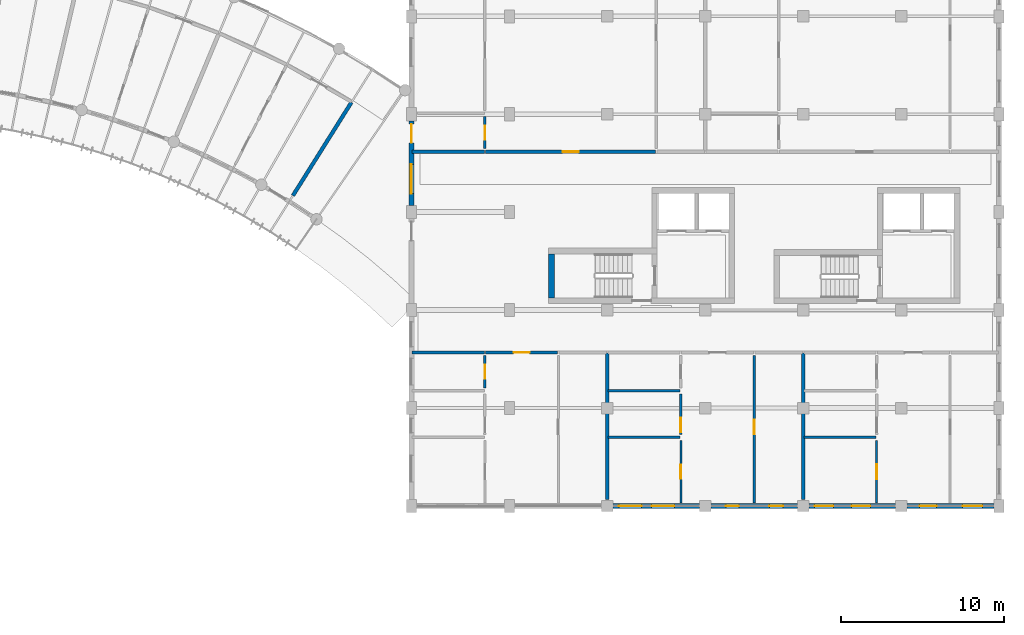
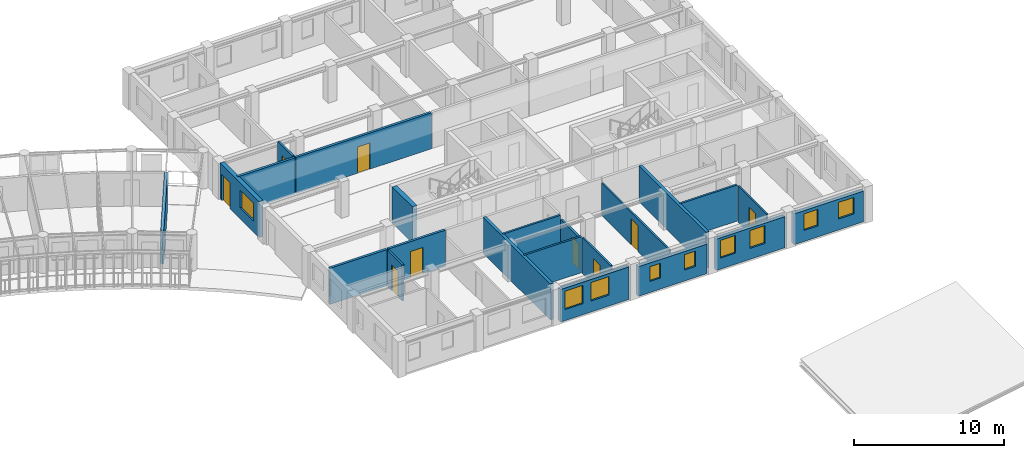
# One storey, part 111 of 137: 22 walls, 9 doors, 9 windows, 18 openings.
"""IFC4 building model written with IfcOpenShell, lengths in metres."""

from ifc_helpers import new_model, si_unit, direction, frame, frame_2d, origin, place, context, subcontext, project, spatial, rectangle, extrude, material, layer, layer_set, type_object, element, fill, save


model = new_model("IFC4")

# Units and contexts
model_context = context("Model", 3, precision=1e-05, world=origin(), true_north=direction((0.0, 1.0)))
body_context = subcontext(model_context, "Body", "Model", "MODEL_VIEW")
ifc_project = project(units=[si_unit("LENGTHUNIT", "METRE"), si_unit("AREAUNIT", "SQUARE_METRE"), si_unit("VOLUMEUNIT", "CUBIC_METRE"), si_unit("PLANEANGLEUNIT", "RADIAN"), si_unit("MASSUNIT", "GRAM", prefix="KILO"), si_unit("POWERUNIT", "WATT"), si_unit("THERMODYNAMICTEMPERATUREUNIT", "KELVIN")], contexts=[model_context])

# Site, building, storey
site_placement = place(None, origin())
site = spatial("IfcSite", under=ifc_project, at=site_placement, CompositionType="ELEMENT")
building_placement = place(site_placement, origin())
building = spatial("IfcBuilding", under=site, at=building_placement, Name="Ruvembo Vaulted Housing Court", CompositionType="ELEMENT")
storey_placement = place(building_placement, frame((0.0, 0.0, 4.5)))
storey = spatial("IfcBuildingStorey", under=building, at=storey_placement, Name="L01", CompositionType="ELEMENT", Elevation=4.5)

# Walls
ifc_material_1 = material(Name="Concrete C35/45", Category="concrete")
ifc_layer_1 = layer(ifc_material_1, 0.35009765625, Name="Concrete C35/45")
ifc_layer_set_1 = layer_set([ifc_layer_1], Name="Concrete C35/45")
wall_type_1 = type_object("IfcWallType", Name="WL-CORE-350", PredefinedType="SHEAR", material=ifc_layer_set_1)
wall_1_placement = place(storey_placement, frame((158.574951171875, 87.449951171875, 0.0), z_axis=(0.0, 0.0, 1.0), x_axis=(0.0, -1.0, 0.0)))
element("IfcWall", 1, at=wall_1_placement, inside=storey, type_object=wall_type_1, Name="Core D1 L01 Stair West Shear Wall", PredefinedType="SHEAR", context=body_context, shape_type="SweptSolid", body=[
    extrude(rectangle(XDim=2.699951171875, YDim=0.35009765625, at=frame_2d((1.35009765625, 0.0))), origin(), (0.0, 0.0, 1.0), 2.945068359375),
])
ifc_material_2 = material(Name="Concrete Blockwork 190", Category="masonry")
ifc_layer_2 = layer(ifc_material_2, 0.18994140625, Name="Concrete Blockwork 190")
ifc_layer_set_2 = layer_set([ifc_layer_2], Name="Concrete Blockwork 190")
wall_type_2 = type_object("IfcWallType", Name="WL-CORR-190", PredefinedType="SOLIDWALL", material=ifc_layer_set_2)
wall_2_placement = place(storey_placement, frame((150.0400390625, 81.39990234375, 0.0), z_axis=(0.0, 0.0, 1.0), x_axis=(1.0, 0.0, 0.0)))
element("IfcWall", 2, at=wall_2_placement, inside=storey, type_object=wall_type_2, Name="L01 Flat D-L01-S1 Corridor Wall WL-INT-L01-00323", PredefinedType="SOLIDWALL", context=body_context, shape_type="SweptSolid", body=[
    extrude(rectangle(XDim=4.419921875, YDim=0.18994140625, at=frame_2d((2.2099609375, 0.0))), origin(), (0.0, 0.0, 1.0), 2.945068359375),
])

# Wall, opening, door
wall_3_placement = place(storey_placement, frame((154.5400390625, 81.39990234375, 0.0), z_axis=(0.0, 0.0, 1.0), x_axis=(1.0, 0.0, 0.0)))
wall_3 = element("IfcWall", 3, at=wall_3_placement, inside=storey, type_object=wall_type_2, Name="L01 Flat D-L01-S1 Entrance WL-INT-L01-00324", PredefinedType="SOLIDWALL", context=body_context, shape_type="SweptSolid", body=[
    extrude(rectangle(XDim=4.419921875, YDim=0.18994140625, at=frame_2d((2.2099609375, 0.0))), origin(), (0.0, 0.0, 1.0), 2.945068359375),
])
opening_1_placement = place(wall_3_placement, frame((1.719970703125, 0.0, 0.0)))
opening_1 = element("IfcOpeningElement", 4, at=opening_1_placement, cuts=wall_3, Name="Opening FD2", PredefinedType="OPENING", context=body_context, shape_type="SweptSolid", body=[
    extrude(rectangle(XDim=0.97998046875, YDim=2.14990234375, at=frame_2d((0.489990234375, 1.074951171875))), frame((0.0, 0.10498046875, 0.0), z_axis=(0.0, -1.0, 0.0), x_axis=(1.0, 0.0, 0.0)), (0.0, 0.0, 1.0), 0.2099609375),
])
ifc_material_3 = material(Name="FSC Hardwood and Engineered Timber", Category="wood")
door_type_1 = type_object("IfcDoorType", Name="DR-FLAT-0980x2150", OperationType="NOTDEFINED", PredefinedType="DOOR", material=ifc_material_3)
door_1_placement = place(opening_1_placement, origin())
door_1 = element("IfcDoor", 5, at=door_1_placement, inside=storey, type_object=door_type_1, Name="L01 Flat D-L01-S1 Entrance Door DR-INT-L01-00163", OperationType="SINGLE_SWING_LEFT", OverallHeight=2.14990234375, OverallWidth=0.97998046875, PredefinedType="DOOR", context=body_context, shape_type="SweptSolid", body=[
    extrude(rectangle(XDim=0.97998046875, YDim=2.14990234375, at=frame_2d((0.489990234375, 1.074951171875))), frame((0.0, 0.02490234375, 0.0), z_axis=(0.0, -1.0, 0.0), x_axis=(1.0, 0.0, 0.0)), (0.0, 0.0, 1.0), 0.050048828125),
])
fill(opening_1, door_1)

# Wall
wall_4_placement = place(storey_placement, frame((150.0400390625, 93.699951171875, 0.0), z_axis=(0.0, 0.0, 1.0), x_axis=(1.0, 0.0, 0.0)))
element("IfcWall", 6, at=wall_4_placement, inside=storey, type_object=wall_type_2, Name="L01 Flat D-L01-N1 Corridor Wall WL-INT-L01-00352", PredefinedType="SOLIDWALL", context=body_context, shape_type="SweptSolid", body=[
    extrude(rectangle(XDim=4.419921875, YDim=0.18994140625, at=frame_2d((2.2099609375, 0.0))), origin(), (0.0, 0.0, 1.0), 2.945068359375),
])

# Wall, opening, door
wall_5_placement = place(storey_placement, frame((154.5400390625, 93.699951171875, 0.0), z_axis=(0.0, 0.0, 1.0), x_axis=(1.0, 0.0, 0.0)))
wall_5 = element("IfcWall", 7, at=wall_5_placement, inside=storey, type_object=wall_type_2, Name="L01 Flat D-L01-N1 Entrance WL-INT-L01-00353", PredefinedType="SOLIDWALL", context=body_context, shape_type="SweptSolid", body=[
    extrude(rectangle(XDim=10.419921875, YDim=0.18994140625, at=frame_2d((5.2099609375, 0.0))), origin(), (0.0, 0.0, 1.0), 2.945068359375),
])
opening_2_placement = place(wall_5_placement, frame((4.719970703125, 0.0, 0.0)))
opening_2 = element("IfcOpeningElement", 8, at=opening_2_placement, cuts=wall_5, Name="Opening FD2", PredefinedType="OPENING", context=body_context, shape_type="SweptSolid", body=[
    extrude(rectangle(XDim=0.97998046875, YDim=2.14990234375, at=frame_2d((0.489990234375, 1.074951171875))), frame((0.0, 0.10498046875, 0.0), z_axis=(0.0, -1.0, 0.0), x_axis=(1.0, 0.0, 0.0)), (0.0, 0.0, 1.0), 0.2099609375),
])
door_2_placement = place(opening_2_placement, origin())
door_2 = element("IfcDoor", 9, at=door_2_placement, inside=storey, type_object=door_type_1, Name="L01 Flat D-L01-N1 Entrance Door DR-INT-L01-00178", OperationType="SINGLE_SWING_RIGHT", OverallHeight=2.14990234375, OverallWidth=0.97998046875, PredefinedType="DOOR", context=body_context, shape_type="SweptSolid", body=[
    extrude(rectangle(XDim=0.97998046875, YDim=2.14990234375, at=frame_2d((0.489990234375, 1.074951171875))), frame((0.0, 0.02490234375, 0.0), z_axis=(0.0, -1.0, 0.0), x_axis=(1.0, 0.0, 0.0)), (0.0, 0.0, 1.0), 0.050048828125),
])
fill(opening_2, door_2)

# Walls
ifc_material_4 = material(Name="Acoustic Masonry Demising 230", Category="masonry")
ifc_layer_3 = layer(ifc_material_4, 0.22998046875, Name="Acoustic Masonry Demising 230")
ifc_layer_set_3 = layer_set([ifc_layer_3], Name="Acoustic Masonry Demising 230")
wall_type_3 = type_object("IfcWallType", Name="WL-DEM-230", PredefinedType="SOLIDWALL", material=ifc_layer_set_3)
for number, where, z_axis, x_axis, name in (
    (10, (162.0, 72.389892578125, 0.0), (0.0, 0.0, 1.0), (0.0, 1.0, 0.0), "L01 Demising D-L01-S1 WL-INT-L01-00322"),
    (11, (174.0, 72.389892578125, 0.0), (0.0, 0.0, 1.0), (0.0, 1.0, 0.0), "L01 Demising D-L01-S2 WL-INT-L01-00332"),
):
    element("IfcWall", number, at=place(storey_placement, frame(where, z_axis=z_axis, x_axis=x_axis)), inside=storey, type_object=wall_type_3, Name=name, PredefinedType="SOLIDWALL", context=body_context, shape_type="SweptSolid", body=[
        extrude(rectangle(XDim=8.97021484375, YDim=0.22998046875, at=frame_2d((4.485107421875, 0.0))), origin(), (0.0, 0.0, 1.0), 2.945068359375),
    ])
wall_6_placement = place(storey_placement, frame((142.73828125, 91.017333984375, 0.0), z_axis=(0.0, 0.0, 1.0), x_axis=(0.531512997039, 0.847050136638, 0.0)))
element("IfcWall", 12, at=wall_6_placement, inside=storey, type_object=wall_type_3, Name="L01 Suite SC3-L01-U7 Demising WL-INT-L01-00481", PredefinedType="SOLIDWALL", context=body_context, shape_type="SweptSolid", body=[
    extrude(rectangle(XDim=6.736083984375, YDim=0.22998046875, at=frame_2d((3.3681640625, 0.0))), origin(), (0.0, 0.0, 1.0), 2.741943359375),
])

# Wall, openings, windows
ifc_material_5 = material(Name="Rendered Masonry 320", Category="masonry")
ifc_layer_4 = layer(ifc_material_5, 0.320068359375, Name="Rendered Masonry 320")
ifc_layer_set_4 = layer_set([ifc_layer_4], Name="Rendered Masonry 320")
wall_type_4 = type_object("IfcWallType", Name="WL-EXT-320", PredefinedType="STANDARD", material=ifc_layer_set_4)
wall_7_placement = place(storey_placement, frame((162.35009765625, 72.0, 0.0), z_axis=(0.0, 0.0, 1.0), x_axis=(1.0, 0.0, 0.0)))
wall_7 = element("IfcWall", 13, at=wall_7_placement, inside=storey, type_object=wall_type_4, Name="Block D L01 Exterior Wall COURTYARD #3", PredefinedType="STANDARD", context=body_context, shape_type="SweptSolid", body=[
    extrude(rectangle(XDim=5.2998046875, YDim=0.320068359375, at=frame_2d((2.64990234375, 0.0))), origin(), (0.0, 0.0, 1.0), 2.64794921875),
])
opening_3_placement = place(wall_7_placement, frame((0.35009765625, 0.0, 0.89990234375)))
opening_3 = element("IfcOpeningElement", 14, at=opening_3_placement, cuts=wall_7, Name="Opening W17", PredefinedType="OPENING", context=body_context, shape_type="SweptSolid", body=[
    extrude(rectangle(XDim=1.39990234375, YDim=1.5, at=frame_2d((0.699951171875, 0.75))), frame((0.0, 0.169921875, 0.0), z_axis=(0.0, -1.0, 0.0), x_axis=(1.0, 0.0, 0.0)), (0.0, 0.0, 1.0), 0.340087890625),
])
opening_4_placement = place(wall_7_placement, frame((2.360107421875, 0.0, 0.89990234375)))
opening_4 = element("IfcOpeningElement", 15, at=opening_4_placement, cuts=wall_7, Name="Opening W17", PredefinedType="OPENING", context=body_context, shape_type="SweptSolid", body=[
    extrude(rectangle(XDim=1.39990234375, YDim=1.5, at=frame_2d((0.699951171875, 0.75))), frame((0.0, 0.169921875, 0.0), z_axis=(0.0, -1.0, 0.0), x_axis=(1.0, 0.0, 0.0)), (0.0, 0.0, 1.0), 0.340087890625),
])
ifc_material_6 = material(Name="Double Solar-Control Glazing in Aluminium Frame", Category="aluminium")
window_type_1 = type_object("IfcWindowType", Name="WIN-1400x1500", PartitioningType="SINGLE_PANEL", PredefinedType="WINDOW", material=ifc_material_6)
window_1_placement = place(opening_3_placement, origin())
window_1 = element("IfcWindow", 16, at=window_1_placement, inside=storey, type_object=window_type_1, Name="Block D L01 Window #1491", OverallHeight=1.5, OverallWidth=1.39990234375, PartitioningType="SINGLE_PANEL", PredefinedType="WINDOW", context=body_context, shape_type="SweptSolid", body=[
    extrude(rectangle(XDim=1.39990234375, YDim=1.5, at=frame_2d((0.699951171875, 0.75))), frame((0.0, 0.030029296875, 0.0), z_axis=(0.0, -1.0, 0.0), x_axis=(1.0, 0.0, 0.0)), (0.0, 0.0, 1.0), 0.06005859375),
])
fill(opening_3, window_1)
window_2_placement = place(opening_4_placement, origin())
window_2 = element("IfcWindow", 17, at=window_2_placement, inside=storey, type_object=window_type_1, Name="Block D L01 Window #1492", OverallHeight=1.5, OverallWidth=1.39990234375, PartitioningType="SINGLE_PANEL", PredefinedType="WINDOW", context=body_context, shape_type="SweptSolid", body=[
    extrude(rectangle(XDim=1.39990234375, YDim=1.5, at=frame_2d((0.699951171875, 0.75))), frame((0.0, 0.030029296875, 0.0), z_axis=(0.0, -1.0, 0.0), x_axis=(1.0, 0.0, 0.0)), (0.0, 0.0, 1.0), 0.06005859375),
])
fill(opening_4, window_2)

wall_8_placement = place(storey_placement, frame((168.35009765625, 72.0, 0.0), z_axis=(0.0, 0.0, 1.0), x_axis=(1.0, 0.0, 0.0)))
wall_8 = element("IfcWall", 18, at=wall_8_placement, inside=storey, type_object=wall_type_4, Name="Block D L01 Exterior Wall COURTYARD #4", PredefinedType="STANDARD", context=body_context, shape_type="SweptSolid", body=[
    extrude(rectangle(XDim=5.2998046875, YDim=0.320068359375, at=frame_2d((2.64990234375, 0.0))), origin(), (0.0, 0.0, 1.0), 2.407958984375),
])
opening_5_placement = place(wall_8_placement, frame((0.905029296875, 0.0, 0.89990234375)))
opening_5 = element("IfcOpeningElement", 19, at=opening_5_placement, cuts=wall_8, Name="Opening W02", PredefinedType="OPENING", context=body_context, shape_type="SweptSolid", body=[
    extrude(rectangle(XDim=0.800048828125, YDim=1.199951171875, at=frame_2d((0.39990234375, 0.60009765625))), frame((0.0, 0.169921875, 0.0), z_axis=(0.0, -1.0, 0.0), x_axis=(1.0, 0.0, 0.0)), (0.0, 0.0, 1.0), 0.340087890625),
])
opening_6_placement = place(wall_8_placement, frame((3.570068359375, 0.0, 0.89990234375)))
opening_6 = element("IfcOpeningElement", 20, at=opening_6_placement, cuts=wall_8, Name="Opening W03", PredefinedType="OPENING", context=body_context, shape_type="SweptSolid", body=[
    extrude(rectangle(XDim=0.85009765625, YDim=1.25, at=frame_2d((0.425048828125, 0.625))), frame((0.0, 0.169921875, 0.0), z_axis=(0.0, -1.0, 0.0), x_axis=(1.0, 0.0, 0.0)), (0.0, 0.0, 1.0), 0.340087890625),
])
window_type_2 = type_object("IfcWindowType", Name="WIN-0800x1200", PartitioningType="SINGLE_PANEL", PredefinedType="WINDOW", material=ifc_material_6)
window_3_placement = place(opening_5_placement, origin())
window_3 = element("IfcWindow", 21, at=window_3_placement, inside=storey, type_object=window_type_2, Name="Block D L01 Window #1493", OverallHeight=1.199951171875, OverallWidth=0.800048828125, PartitioningType="SINGLE_PANEL", PredefinedType="WINDOW", context=body_context, shape_type="SweptSolid", body=[
    extrude(rectangle(XDim=0.800048828125, YDim=1.199951171875, at=frame_2d((0.39990234375, 0.60009765625))), frame((0.0, 0.030029296875, 0.0), z_axis=(0.0, -1.0, 0.0), x_axis=(1.0, 0.0, 0.0)), (0.0, 0.0, 1.0), 0.06005859375),
])
fill(opening_5, window_3)
window_type_3 = type_object("IfcWindowType", Name="WIN-0850x1250", PartitioningType="SINGLE_PANEL", PredefinedType="WINDOW", material=ifc_material_6)
window_4_placement = place(opening_6_placement, origin())
window_4 = element("IfcWindow", 22, at=window_4_placement, inside=storey, type_object=window_type_3, Name="Block D L01 Window #1494", OverallHeight=1.25, OverallWidth=0.85009765625, PartitioningType="SINGLE_PANEL", PredefinedType="WINDOW", context=body_context, shape_type="SweptSolid", body=[
    extrude(rectangle(XDim=0.85009765625, YDim=1.25, at=frame_2d((0.425048828125, 0.625))), frame((0.0, 0.030029296875, 0.0), z_axis=(0.0, -1.0, 0.0), x_axis=(1.0, 0.0, 0.0)), (0.0, 0.0, 1.0), 0.06005859375),
])
fill(opening_6, window_4)

wall_9_placement = place(storey_placement, frame((174.35009765625, 72.0, 0.0), z_axis=(0.0, 0.0, 1.0), x_axis=(1.0, 0.0, 0.0)))
wall_9 = element("IfcWall", 23, at=wall_9_placement, inside=storey, type_object=wall_type_4, Name="Block D L01 Exterior Wall COURTYARD #5", PredefinedType="STANDARD", context=body_context, shape_type="SweptSolid", body=[
    extrude(rectangle(XDim=5.2998046875, YDim=0.320068359375, at=frame_2d((2.64990234375, 0.0))), origin(), (0.0, 0.0, 1.0), 2.548095703125),
])
opening_7_placement = place(wall_9_placement, frame((0.35009765625, 0.0, 0.89990234375)))
opening_7 = element("IfcOpeningElement", 24, at=opening_7_placement, cuts=wall_9, Name="Opening W11", PredefinedType="OPENING", context=body_context, shape_type="SweptSolid", body=[
    extrude(rectangle(XDim=1.14990234375, YDim=1.449951171875, at=frame_2d((0.574951171875, 0.72509765625))), frame((0.0, 0.169921875, 0.0), z_axis=(0.0, -1.0, 0.0), x_axis=(1.0, 0.0, 0.0)), (0.0, 0.0, 1.0), 0.340087890625),
])
opening_8_placement = place(wall_9_placement, frame((2.610107421875, 0.0, 0.89990234375)))
opening_8 = element("IfcOpeningElement", 25, at=opening_8_placement, cuts=wall_9, Name="Opening W11", PredefinedType="OPENING", context=body_context, shape_type="SweptSolid", body=[
    extrude(rectangle(XDim=1.14990234375, YDim=1.449951171875, at=frame_2d((0.574951171875, 0.72509765625))), frame((0.0, 0.169921875, 0.0), z_axis=(0.0, -1.0, 0.0), x_axis=(1.0, 0.0, 0.0)), (0.0, 0.0, 1.0), 0.340087890625),
])
window_type_4 = type_object("IfcWindowType", Name="WIN-1150x1450", PartitioningType="SINGLE_PANEL", PredefinedType="WINDOW", material=ifc_material_6)
window_5_placement = place(opening_7_placement, origin())
window_5 = element("IfcWindow", 26, at=window_5_placement, inside=storey, type_object=window_type_4, Name="Block D L01 Window #1495", OverallHeight=1.449951171875, OverallWidth=1.14990234375, PartitioningType="SINGLE_PANEL", PredefinedType="WINDOW", context=body_context, shape_type="SweptSolid", body=[
    extrude(rectangle(XDim=1.14990234375, YDim=1.449951171875, at=frame_2d((0.574951171875, 0.72509765625))), frame((0.0, 0.030029296875, 0.0), z_axis=(0.0, -1.0, 0.0), x_axis=(1.0, 0.0, 0.0)), (0.0, 0.0, 1.0), 0.06005859375),
])
fill(opening_7, window_5)
window_6_placement = place(opening_8_placement, origin())
window_6 = element("IfcWindow", 27, at=window_6_placement, inside=storey, type_object=window_type_4, Name="Block D L01 Window #1496", OverallHeight=1.449951171875, OverallWidth=1.14990234375, PartitioningType="SINGLE_PANEL", PredefinedType="WINDOW", context=body_context, shape_type="SweptSolid", body=[
    extrude(rectangle(XDim=1.14990234375, YDim=1.449951171875, at=frame_2d((0.574951171875, 0.72509765625))), frame((0.0, 0.030029296875, 0.0), z_axis=(0.0, -1.0, 0.0), x_axis=(1.0, 0.0, 0.0)), (0.0, 0.0, 1.0), 0.06005859375),
])
fill(opening_8, window_6)

wall_10_placement = place(storey_placement, frame((180.35009765625, 72.0, 0.0), z_axis=(0.0, 0.0, 1.0), x_axis=(1.0, 0.0, 0.0)))
wall_10 = element("IfcWall", 28, at=wall_10_placement, inside=storey, type_object=wall_type_4, Name="Block D L01 Exterior Wall COURTYARD #6", PredefinedType="STANDARD", context=body_context, shape_type="SweptSolid", body=[
    extrude(rectangle(XDim=5.349853515625, YDim=0.320068359375, at=frame_2d((2.6748046875, 0.0))), origin(), (0.0, 0.0, 1.0), 2.508056640625),
])
opening_9_placement = place(wall_10_placement, frame((0.780029296875, 0.0, 0.89990234375)))
opening_9 = element("IfcOpeningElement", 29, at=opening_9_placement, cuts=wall_10, Name="Opening W09", PredefinedType="OPENING", context=body_context, shape_type="SweptSolid", body=[
    extrude(rectangle(XDim=1.050048828125, YDim=1.35009765625, at=frame_2d((0.52490234375, 0.675048828125))), frame((0.0, 0.169921875, 0.0), z_axis=(0.0, -1.0, 0.0), x_axis=(1.0, 0.0, 0.0)), (0.0, 0.0, 1.0), 0.340087890625),
])
opening_10_placement = place(wall_10_placement, frame((3.419921875, 0.0, 0.89990234375)))
opening_10 = element("IfcOpeningElement", 30, at=opening_10_placement, cuts=wall_10, Name="Opening W12", PredefinedType="OPENING", context=body_context, shape_type="SweptSolid", body=[
    extrude(rectangle(XDim=1.199951171875, YDim=1.35009765625, at=frame_2d((0.60009765625, 0.675048828125))), frame((0.0, 0.169921875, 0.0), z_axis=(0.0, -1.0, 0.0), x_axis=(1.0, 0.0, 0.0)), (0.0, 0.0, 1.0), 0.340087890625),
])
window_type_5 = type_object("IfcWindowType", Name="WIN-1050x1350", PartitioningType="SINGLE_PANEL", PredefinedType="WINDOW", material=ifc_material_6)
window_7_placement = place(opening_9_placement, origin())
window_7 = element("IfcWindow", 31, at=window_7_placement, inside=storey, type_object=window_type_5, Name="Block D L01 Window #1497", OverallHeight=1.35009765625, OverallWidth=1.050048828125, PartitioningType="SINGLE_PANEL", PredefinedType="WINDOW", context=body_context, shape_type="SweptSolid", body=[
    extrude(rectangle(XDim=1.050048828125, YDim=1.35009765625, at=frame_2d((0.52490234375, 0.675048828125))), frame((0.0, 0.030029296875, 0.0), z_axis=(0.0, -1.0, 0.0), x_axis=(1.0, 0.0, 0.0)), (0.0, 0.0, 1.0), 0.06005859375),
])
fill(opening_9, window_7)
window_type_6 = type_object("IfcWindowType", Name="WIN-1200x1350", PartitioningType="SINGLE_PANEL", PredefinedType="WINDOW", material=ifc_material_6)
window_8_placement = place(opening_10_placement, origin())
window_8 = element("IfcWindow", 32, at=window_8_placement, inside=storey, type_object=window_type_6, Name="Block D L01 Window #1498", OverallHeight=1.35009765625, OverallWidth=1.199951171875, PartitioningType="SINGLE_PANEL", PredefinedType="WINDOW", context=body_context, shape_type="SweptSolid", body=[
    extrude(rectangle(XDim=1.199951171875, YDim=1.35009765625, at=frame_2d((0.60009765625, 0.675048828125))), frame((0.0, 0.030029296875, 0.0), z_axis=(0.0, -1.0, 0.0), x_axis=(1.0, 0.0, 0.0)), (0.0, 0.0, 1.0), 0.06005859375),
])
fill(opening_10, window_8)

# Wall, openings, door, window
wall_11_placement = place(storey_placement, frame((150.0, 95.60009765625, 0.0), z_axis=(0.0, 0.0, 1.0), x_axis=(0.0, -1.0, 0.0)))
wall_11 = element("IfcWall", 33, at=wall_11_placement, inside=storey, type_object=wall_type_4, Name="Block D L01 Exterior Wall WEST #3", PredefinedType="STANDARD", context=body_context, shape_type="SweptSolid", body=[
    extrude(rectangle(XDim=5.2001953125, YDim=0.320068359375, at=frame_2d((2.60009765625, 0.0))), origin(), (0.0, 0.0, 1.0), 2.945068359375),
])
opening_11_placement = place(wall_11_placement, frame((0.199951171875, 0.0, 0.0)))
opening_11 = element("IfcOpeningElement", 34, at=opening_11_placement, cuts=wall_11, Name="Opening GD1", PredefinedType="OPENING", context=body_context, shape_type="SweptSolid", body=[
    extrude(rectangle(XDim=1.14990234375, YDim=2.14990234375, at=frame_2d((0.574951171875, 1.074951171875))), frame((0.0, 0.169921875, 0.0), z_axis=(0.0, -1.0, 0.0), x_axis=(1.0, 0.0, 0.0)), (0.0, 0.0, 1.0), 0.340087890625),
])
opening_12_placement = place(wall_11_placement, frame((2.669921875, 0.0, 0.89990234375)))
opening_12 = element("IfcOpeningElement", 35, at=opening_12_placement, cuts=wall_11, Name="Opening W22", PredefinedType="OPENING", context=body_context, shape_type="SweptSolid", body=[
    extrude(rectangle(XDim=1.800048828125, YDim=1.449951171875, at=frame_2d((0.89990234375, 0.72509765625))), frame((0.0, 0.169921875, 0.0), z_axis=(0.0, -1.0, 0.0), x_axis=(1.0, 0.0, 0.0)), (0.0, 0.0, 1.0), 0.340087890625),
])
ifc_material_7 = material(Name="Thermally Broken Glazed Aluminium", Category="aluminium")
door_type_2 = type_object("IfcDoorType", Name="DR-GAL-1150x2150", OperationType="NOTDEFINED", PredefinedType="DOOR", material=ifc_material_7)
door_3_placement = place(opening_11_placement, frame((1.14990234375, 0.0, 0.0), z_axis=(0.0, 0.0, 1.0), x_axis=(-1.0, 0.0, 0.0)))
door_3 = element("IfcDoor", 36, at=door_3_placement, inside=storey, type_object=door_type_2, Name="Block D L01 Terrace or Gallery Door DR-TER-D-L01-068", OperationType="SINGLE_SWING_LEFT", OverallHeight=2.14990234375, OverallWidth=1.14990234375, PredefinedType="DOOR", context=body_context, shape_type="SweptSolid", body=[
    extrude(rectangle(XDim=1.14990234375, YDim=2.14990234375, at=frame_2d((0.574951171875, 1.074951171875))), frame((0.0, 0.02490234375, 0.0), z_axis=(0.0, -1.0, 0.0), x_axis=(1.0, 0.0, 0.0)), (0.0, 0.0, 1.0), 0.050048828125),
])
fill(opening_11, door_3)
window_type_7 = type_object("IfcWindowType", Name="WIN-1800x1450", PartitioningType="SINGLE_PANEL", PredefinedType="WINDOW", material=ifc_material_6)
window_9_placement = place(opening_12_placement, origin())
window_9 = element("IfcWindow", 37, at=window_9_placement, inside=storey, type_object=window_type_7, Name="Block D L01 Window #1526", OverallHeight=1.449951171875, OverallWidth=1.800048828125, PartitioningType="SINGLE_PANEL", PredefinedType="WINDOW", context=body_context, shape_type="SweptSolid", body=[
    extrude(rectangle(XDim=1.800048828125, YDim=1.449951171875, at=frame_2d((0.89990234375, 0.72509765625))), frame((0.0, 0.030029296875, 0.0), z_axis=(0.0, -1.0, 0.0), x_axis=(1.0, 0.0, 0.0)), (0.0, 0.0, 1.0), 0.06005859375),
])
fill(opening_12, window_9)

# Wall, opening, door
ifc_material_8 = material(Name="Plasterboard Stud Partition 125", Category="gypsum")
ifc_layer_5 = layer(ifc_material_8, 0.125, Name="Plasterboard Stud Partition 125")
ifc_layer_set_5 = layer_set([ifc_layer_5], Name="Plasterboard Stud Partition 125")
wall_type_5 = type_object("IfcWallType", Name="WL-PART-125", PredefinedType="PARTITIONING", material=ifc_layer_set_5)
wall_12_placement = place(storey_placement, frame((166.5, 72.18994140625, 0.0), z_axis=(0.0, 0.0, 1.0), x_axis=(0.0, 1.0, 0.0)))
wall_12 = element("IfcWall", 38, at=wall_12_placement, inside=storey, type_object=wall_type_5, Name="L01 Flat D-L01-S2 Bedroom 1 WL-INT-L01-00335", PredefinedType="PARTITIONING", context=body_context, shape_type="SweptSolid", body=[
    extrude(rectangle(XDim=3.820068359375, YDim=0.125, at=frame_2d((1.91015625, 0.0))), origin(), (0.0, 0.0, 1.0), 2.945068359375),
])
opening_13_placement = place(wall_12_placement, frame((1.469970703125, 0.0, 0.0)))
opening_13 = element("IfcOpeningElement", 39, at=opening_13_placement, cuts=wall_12, Name="Opening ID3", PredefinedType="OPENING", context=body_context, shape_type="SweptSolid", body=[
    extrude(rectangle(XDim=0.8798828125, YDim=2.10009765625, at=frame_2d((0.43994140625, 1.050048828125))), frame((0.0, 0.072509765625, 0.0), z_axis=(0.0, -1.0, 0.0), x_axis=(1.0, 0.0, 0.0)), (0.0, 0.0, 1.0), 0.14501953125),
])
door_type_3 = type_object("IfcDoorType", Name="DR-ROOM-0880x2100", OperationType="NOTDEFINED", PredefinedType="DOOR", material=ifc_material_3)
door_4_placement = place(opening_13_placement, origin())
door_4 = element("IfcDoor", 40, at=door_4_placement, inside=storey, type_object=door_type_3, Name="L01 Flat D-L01-S2 Bedroom 1 Door DR-INT-L01-00169", OperationType="SINGLE_SWING_LEFT", OverallHeight=2.10009765625, OverallWidth=0.8798828125, PredefinedType="DOOR", context=body_context, shape_type="SweptSolid", body=[
    extrude(rectangle(XDim=0.8798828125, YDim=2.10009765625, at=frame_2d((0.43994140625, 1.050048828125))), frame((0.0, 0.02490234375, 0.0), z_axis=(0.0, -1.0, 0.0), x_axis=(1.0, 0.0, 0.0)), (0.0, 0.0, 1.0), 0.050048828125),
])
fill(opening_13, door_4)

wall_13_placement = place(storey_placement, frame((171.0, 72.18994140625, 0.0), z_axis=(0.0, 0.0, 1.0), x_axis=(0.0, 1.0, 0.0)))
wall_13 = element("IfcWall", 41, at=wall_13_placement, inside=storey, type_object=wall_type_5, Name="L01 Flat D-L01-S2 Bedroom 2 WL-INT-L01-00341", PredefinedType="PARTITIONING", context=body_context, shape_type="SweptSolid", body=[
    extrude(rectangle(XDim=9.02001953125, YDim=0.125, at=frame_2d((4.510009765625, 0.0))), origin(), (0.0, 0.0, 1.0), 2.64794921875),
])
opening_14_placement = place(wall_13_placement, frame((4.199951171875, 0.0, 0.0)))
opening_14 = element("IfcOpeningElement", 42, at=opening_14_placement, cuts=wall_13, Name="Opening ID1", PredefinedType="OPENING", context=body_context, shape_type="SweptSolid", body=[
    extrude(rectangle(XDim=0.89990234375, YDim=2.10009765625, at=frame_2d((0.449951171875, 1.050048828125))), frame((0.0, 0.072509765625, 0.0), z_axis=(0.0, -1.0, 0.0), x_axis=(1.0, 0.0, 0.0)), (0.0, 0.0, 1.0), 0.14501953125),
])
door_type_4 = type_object("IfcDoorType", Name="DR-ROOM-0900x2100", OperationType="NOTDEFINED", PredefinedType="DOOR", material=ifc_material_3)
door_5_placement = place(opening_14_placement, origin())
door_5 = element("IfcDoor", 43, at=door_5_placement, inside=storey, type_object=door_type_4, Name="L01 Flat D-L01-S2 Bedroom 2 Door DR-INT-L01-00172", OperationType="SINGLE_SWING_RIGHT", OverallHeight=2.10009765625, OverallWidth=0.89990234375, PredefinedType="DOOR", context=body_context, shape_type="SweptSolid", body=[
    extrude(rectangle(XDim=0.89990234375, YDim=2.10009765625, at=frame_2d((0.449951171875, 1.050048828125))), frame((0.0, 0.02490234375, 0.0), z_axis=(0.0, -1.0, 0.0), x_axis=(1.0, 0.0, 0.0)), (0.0, 0.0, 1.0), 0.050048828125),
])
fill(opening_14, door_5)

wall_14_placement = place(storey_placement, frame((178.5, 72.18994140625, 0.0), z_axis=(0.0, 0.0, 1.0), x_axis=(0.0, 1.0, 0.0)))
wall_14 = element("IfcWall", 44, at=wall_14_placement, inside=storey, type_object=wall_type_5, Name="L01 Flat D-L01-S3 Bedroom 1 WL-INT-L01-00344", PredefinedType="PARTITIONING", context=body_context, shape_type="SweptSolid", body=[
    extrude(rectangle(XDim=3.820068359375, YDim=0.125, at=frame_2d((1.91015625, 0.0))), origin(), (0.0, 0.0, 1.0), 2.945068359375),
])
opening_15_placement = place(wall_14_placement, frame((1.4599609375, 0.0, 0.0)))
opening_15 = element("IfcOpeningElement", 45, at=opening_15_placement, cuts=wall_14, Name="Opening ID1", PredefinedType="OPENING", context=body_context, shape_type="SweptSolid", body=[
    extrude(rectangle(XDim=0.89990234375, YDim=2.10009765625, at=frame_2d((0.449951171875, 1.050048828125))), frame((0.0, 0.072509765625, 0.0), z_axis=(0.0, -1.0, 0.0), x_axis=(1.0, 0.0, 0.0)), (0.0, 0.0, 1.0), 0.14501953125),
])
door_6_placement = place(opening_15_placement, origin())
door_6 = element("IfcDoor", 46, at=door_6_placement, inside=storey, type_object=door_type_4, Name="L01 Flat D-L01-S3 Bedroom 1 Door DR-INT-L01-00174", OperationType="SINGLE_SWING_RIGHT", OverallHeight=2.10009765625, OverallWidth=0.89990234375, PredefinedType="DOOR", context=body_context, shape_type="SweptSolid", body=[
    extrude(rectangle(XDim=0.89990234375, YDim=2.10009765625, at=frame_2d((0.449951171875, 1.050048828125))), frame((0.0, 0.02490234375, 0.0), z_axis=(0.0, -1.0, 0.0), x_axis=(1.0, 0.0, 0.0)), (0.0, 0.0, 1.0), 0.050048828125),
])
fill(opening_15, door_6)

ifc_material_9 = material(Name="Moisture-Resistant Wet Partition 150", Category="gypsum")
ifc_layer_6 = layer(ifc_material_9, 0.14990234375, Name="Moisture-Resistant Wet Partition 150")
ifc_layer_set_6 = layer_set([ifc_layer_6], Name="Moisture-Resistant Wet Partition 150")
wall_type_6 = type_object("IfcWallType", Name="WL-PART-150", PredefinedType="PARTITIONING", material=ifc_layer_set_6)
wall_15_placement = place(storey_placement, frame((154.5, 79.239990234375, 0.0), z_axis=(0.0, 0.0, 1.0), x_axis=(0.0, 1.0, 0.0)))
wall_15 = element("IfcWall", 47, at=wall_15_placement, inside=storey, type_object=wall_type_6, Name="L01 Flat D-L01-S1 Bathroom WL-INT-L01-00327", PredefinedType="PARTITIONING", context=body_context, shape_type="SweptSolid", body=[
    extrude(rectangle(XDim=1.969970703125, YDim=0.14990234375, at=frame_2d((0.98486328125, 0.0))), origin(), (0.0, 0.0, 1.0), 2.945068359375),
])
opening_16_placement = place(wall_15_placement, frame((0.56005859375, 0.0, 0.0)))
opening_16 = element("IfcOpeningElement", 48, at=opening_16_placement, cuts=wall_15, Name="Opening ID2", PredefinedType="OPENING", context=body_context, shape_type="SweptSolid", body=[
    extrude(rectangle(XDim=0.85009765625, YDim=2.10009765625, at=frame_2d((0.425048828125, 1.050048828125))), frame((0.0, 0.0849609375, 0.0), z_axis=(0.0, -1.0, 0.0), x_axis=(1.0, 0.0, 0.0)), (0.0, 0.0, 1.0), 0.169921875),
])
door_type_5 = type_object("IfcDoorType", Name="DR-WET-0850x2100", OperationType="NOTDEFINED", PredefinedType="DOOR", material=ifc_material_3)
door_7_placement = place(opening_16_placement, origin())
door_7 = element("IfcDoor", 49, at=door_7_placement, inside=storey, type_object=door_type_5, Name="L01 Flat D-L01-S1 Bathroom Door DR-INT-L01-00166", OperationType="SINGLE_SWING_RIGHT", OverallHeight=2.10009765625, OverallWidth=0.85009765625, PredefinedType="DOOR", context=body_context, shape_type="SweptSolid", body=[
    extrude(rectangle(XDim=0.85009765625, YDim=2.10009765625, at=frame_2d((0.425048828125, 1.050048828125))), frame((0.0, 0.02490234375, 0.0), z_axis=(0.0, -1.0, 0.0), x_axis=(1.0, 0.0, 0.0)), (0.0, 0.0, 1.0), 0.050048828125),
])
fill(opening_16, door_7)

# Walls
for number, where, z_axis, x_axis, name in (
    (50, (162.0400390625, 76.199951171875, 0.0), (0.0, 0.0, 1.0), (1.0, 0.0, 0.0), "L01 Flat D-L01-S2 Wet Wall 1 WL-INT-L01-00338"),
    (51, (162.0400390625, 79.050048828125, 0.0), (0.0, 0.0, 1.0), (1.0, 0.0, 0.0), "L01 Flat D-L01-S2 Wet Wall 2 WL-INT-L01-00339"),
    (52, (174.0400390625, 76.199951171875, 0.0), (0.0, 0.0, 1.0), (1.0, 0.0, 0.0), "L01 Flat D-L01-S3 Wet Wall 1 WL-INT-L01-00347"),
):
    element("IfcWall", number, at=place(storey_placement, frame(where, z_axis=z_axis, x_axis=x_axis)), inside=storey, type_object=wall_type_6, Name=name, PredefinedType="PARTITIONING", context=body_context, shape_type="SweptSolid", body=[
        extrude(rectangle(XDim=4.419921875, YDim=0.14990234375, at=frame_2d((2.2099609375, 0.0))), origin(), (0.0, 0.0, 1.0), 2.945068359375),
    ])

# Wall, opening, door
wall_16_placement = place(storey_placement, frame((154.5, 93.889892578125, 0.0), z_axis=(0.0, 0.0, 1.0), x_axis=(0.0, 1.0, 0.0)))
wall_16 = element("IfcWall", 53, at=wall_16_placement, inside=storey, type_object=wall_type_6, Name="L01 Flat D-L01-N1 Bathroom WL-INT-L01-00356", PredefinedType="PARTITIONING", context=body_context, shape_type="SweptSolid", body=[
    extrude(rectangle(XDim=1.97021484375, YDim=0.14990234375, at=frame_2d((0.985107421875, 0.0))), origin(), (0.0, 0.0, 1.0), 2.945068359375),
])
opening_17_placement = place(wall_16_placement, frame((0.56005859375, 0.0, 0.0)))
opening_17 = element("IfcOpeningElement", 54, at=opening_17_placement, cuts=wall_16, Name="Opening ID2", PredefinedType="OPENING", context=body_context, shape_type="SweptSolid", body=[
    extrude(rectangle(XDim=0.85009765625, YDim=2.10009765625, at=frame_2d((0.425048828125, 1.050048828125))), frame((0.0, 0.0849609375, 0.0), z_axis=(0.0, -1.0, 0.0), x_axis=(1.0, 0.0, 0.0)), (0.0, 0.0, 1.0), 0.169921875),
])
door_8_placement = place(opening_17_placement, origin())
door_8 = element("IfcDoor", 55, at=door_8_placement, inside=storey, type_object=door_type_5, Name="L01 Flat D-L01-N1 Bathroom Door DR-INT-L01-00181", OperationType="SINGLE_SWING_LEFT", OverallHeight=2.10009765625, OverallWidth=0.85009765625, PredefinedType="DOOR", context=body_context, shape_type="SweptSolid", body=[
    extrude(rectangle(XDim=0.85009765625, YDim=2.10009765625, at=frame_2d((0.425048828125, 1.050048828125))), frame((0.0, 0.02490234375, 0.0), z_axis=(0.0, -1.0, 0.0), x_axis=(1.0, 0.0, 0.0)), (0.0, 0.0, 1.0), 0.050048828125),
])
fill(opening_17, door_8)

ifc_material_10 = material(Name="Acoustic Service Chase Wall 160", Category="gypsum")
ifc_layer_7 = layer(ifc_material_10, 0.159912109375, Name="Acoustic Service Chase Wall 160")
ifc_layer_set_7 = layer_set([ifc_layer_7], Name="Acoustic Service Chase Wall 160")
wall_type_7 = type_object("IfcWallType", Name="WL-PLUMB-160", PredefinedType="PLUMBINGWALL", material=ifc_layer_set_7)
wall_17_placement = place(storey_placement, frame((166.5, 76.389892578125, 0.0), z_axis=(0.0, 0.0, 1.0), x_axis=(0.0, 1.0, 0.0)))
wall_17 = element("IfcWall", 56, at=wall_17_placement, inside=storey, type_object=wall_type_7, Name="L01 Flat D-L01-S2 Kitchen WL-INT-L01-00336", PredefinedType="PLUMBINGWALL", context=body_context, shape_type="SweptSolid", body=[
    extrude(rectangle(XDim=2.47021484375, YDim=0.159912109375, at=frame_2d((1.235107421875, 0.0))), origin(), (0.0, 0.0, 1.0), 2.68798828125),
])
opening_18_placement = place(wall_17_placement, frame((0.1298828125, 0.0, 0.0)))
opening_18 = element("IfcOpeningElement", 57, at=opening_18_placement, cuts=wall_17, Name="Opening ID1", PredefinedType="OPENING", context=body_context, shape_type="SweptSolid", body=[
    extrude(rectangle(XDim=0.89990234375, YDim=2.10009765625, at=frame_2d((0.449951171875, 1.050048828125))), frame((0.0, 0.08984375, 0.0), z_axis=(0.0, -1.0, 0.0), x_axis=(1.0, 0.0, 0.0)), (0.0, 0.0, 1.0), 0.179931640625),
])
door_9_placement = place(opening_18_placement, origin())
door_9 = element("IfcDoor", 58, at=door_9_placement, inside=storey, type_object=door_type_4, Name="L01 Flat D-L01-S2 Kitchen Door DR-INT-L01-00170", OperationType="SINGLE_SWING_RIGHT", OverallHeight=2.10009765625, OverallWidth=0.89990234375, PredefinedType="DOOR", context=body_context, shape_type="SweptSolid", body=[
    extrude(rectangle(XDim=0.89990234375, YDim=2.10009765625, at=frame_2d((0.449951171875, 1.050048828125))), frame((0.0, 0.02490234375, 0.0), z_axis=(0.0, -1.0, 0.0), x_axis=(1.0, 0.0, 0.0)), (0.0, 0.0, 1.0), 0.050048828125),
])
fill(opening_18, door_9)

save(model, "model.ifc")
